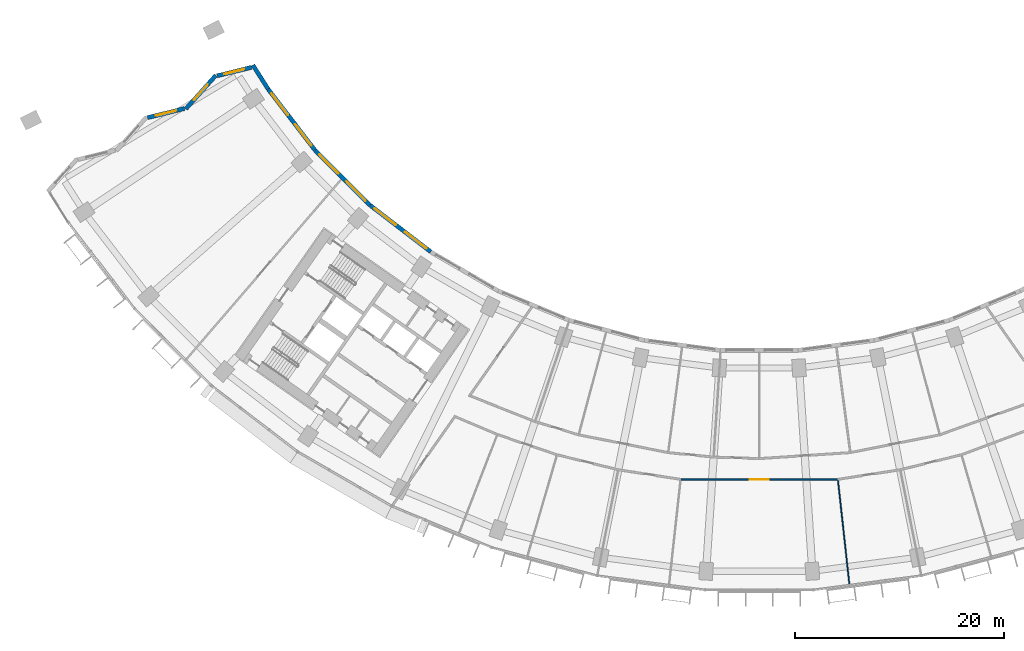
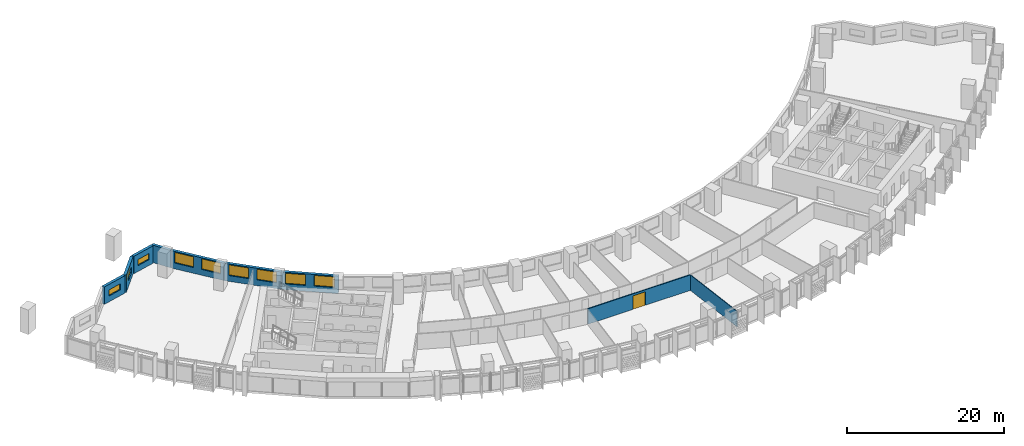
# One storey, part 5 of 31: 9 walls, 9 windows, 1 door, 10 openings.
"""IFC4 building model written with IfcOpenShell, lengths in metres."""

from ifc_helpers import new_model, si_unit, direction, frame, frame_2d, origin, place, context, subcontext, project, spatial, rectangle, extrude, material, layer, layer_set, type_object, element, fill, save


model = new_model("IFC4")

# Units and contexts
model_context = context("Model", 3, precision=1e-05, world=origin(), true_north=direction((0.0, 1.0)))
body_context = subcontext(model_context, "Body", "Model", "MODEL_VIEW")
ifc_project = project(units=[si_unit("LENGTHUNIT", "METRE"), si_unit("AREAUNIT", "SQUARE_METRE"), si_unit("VOLUMEUNIT", "CUBIC_METRE"), si_unit("PLANEANGLEUNIT", "RADIAN"), si_unit("MASSUNIT", "GRAM", prefix="KILO")], contexts=[model_context])

# Site, building, storey
site_placement = place(None, origin())
site = spatial("IfcSite", under=ifc_project, at=site_placement, CompositionType="ELEMENT")
building_placement = place(site_placement, origin())
building = spatial("IfcBuilding", under=site, at=building_placement, Name="Qamariyya Broadcast Tower", CompositionType="ELEMENT")
storey_placement = place(building_placement, frame((0.0, 0.0, 86.10009765625)))
storey = spatial("IfcBuildingStorey", under=building, at=storey_placement, Name="L18", CompositionType="ELEMENT", Elevation=86.10009765625)

# Wall, opening, door
ifc_material_1 = material(Name="Gypsum board partition")
ifc_layer_1 = layer(ifc_material_1, 0.14990234375)
ifc_layer_set_1 = layer_set([ifc_layer_1], Name="Corridor partition 150 EI 60")
wall_type_1 = type_object("IfcWallType", Name="Corridor partition 150 EI 60", PredefinedType="PARTITIONING", material=ifc_layer_set_1)
wall_1_placement = place(storey_placement, frame((7.53173828125, -68.788818359375, 0.0), z_axis=(0.0, 0.0, 1.0), x_axis=(-1.0, 0.0, 0.0)))
wall_1 = element("IfcWall", 1, at=wall_1_placement, inside=storey, type_object=wall_type_1, Name="Partition L18-018", PredefinedType="PARTITIONING", context=body_context, shape_type="SweptSolid", body=[
    extrude(rectangle(XDim=15.0634765625, YDim=0.14990234375, at=frame_2d((7.53173828125, 0.0))), origin(), (0.0, 0.0, 1.0), 2.39990234375),
])
opening_1_placement = place(wall_1_placement, frame((6.631591796875, 0.0, 0.0)))
opening_1 = element("IfcOpeningElement", 2, at=opening_1_placement, cuts=wall_1, Name="Opening L18-D05", PredefinedType="OPENING", context=body_context, shape_type="SweptSolid", body=[
    extrude(rectangle(XDim=1.800048828125, YDim=2.10009765625, at=frame_2d((0.89990234375, 1.050048828125))), frame((0.0, 0.0849609375, 0.0), z_axis=(0.0, -1.0, 0.0), x_axis=(1.0, 0.0, 0.0)), (0.0, 0.0, 1.0), 0.169921875),
])
ifc_material_2 = material(Name="Timber fire door leaf", Category="wood")
door_type = type_object("IfcDoorType", Name="Double fire door 1800 x 2100 FD60", OperationType="NOTDEFINED", PredefinedType="DOOR", material=ifc_material_2)
door_placement = place(opening_1_placement, origin())
door = element("IfcDoor", 3, at=door_placement, inside=storey, type_object=door_type, Name="Door L18-D05", OperationType="DOUBLE_DOOR_SINGLE_SWING", OverallHeight=2.10009765625, OverallWidth=1.800048828125, PredefinedType="DOOR", context=body_context, shape_type="SweptSolid", body=[
    extrude(rectangle(XDim=1.800048828125, YDim=2.10009765625, at=frame_2d((0.89990234375, 1.050048828125))), frame((0.0, 0.02490234375, 0.0), z_axis=(0.0, -1.0, 0.0), x_axis=(1.0, 0.0, 0.0)), (0.0, 0.0, 1.0), 0.050048828125),
])
fill(opening_1, door)

# Wall
ifc_layer_2 = layer(ifc_material_1, 0.10009765625)
ifc_layer_set_2 = layer_set([ifc_layer_2], Name="Partition 100")
wall_type_2 = type_object("IfcWallType", Name="Partition 100", PredefinedType="PARTITIONING", material=ifc_layer_set_2)
wall_2_placement = place(storey_placement, frame((8.630859375, -78.827392578125, 0.0), z_axis=(0.0, 0.0, 1.0), x_axis=(-0.108851448718, 0.994058027538, 0.0)))
element("IfcWall", 4, at=wall_2_placement, inside=storey, type_object=wall_type_2, Name="Partition L18-026", PredefinedType="PARTITIONING", context=body_context, shape_type="SweptSolid", body=[
    extrude(rectangle(XDim=10.0234375, YDim=0.10009765625, at=frame_2d((5.01171875, 0.0))), origin(), (0.0, 0.0, 1.0), 2.39990234375),
])

# Wall, opening, window
ifc_material_3 = material(Name="Terracotta", Category="masonry")
ifc_layer_3 = layer(ifc_material_3, 0.39990234375)
ifc_layer_set_3 = layer_set([ifc_layer_3], Name="Terracotta clad wall 400")
wall_type_3 = type_object("IfcWallType", Name="Terracotta clad wall 400", PredefinedType="SOLIDWALL", material=ifc_layer_set_3)
wall_3_placement = place(storey_placement, frame((-48.618896484375, -29.338623046875, 0.0), z_axis=(0.0, 0.0, 1.0), x_axis=(-0.971070326024, -0.238793680646, 0.0)))
wall_3 = element("IfcWall", 5, at=wall_3_placement, inside=storey, type_object=wall_type_3, Name="e-wl-L18-capW0", PredefinedType="SOLIDWALL", context=body_context, shape_type="SweptSolid", body=[
    extrude(rectangle(XDim=3.394287109375, YDim=0.39990234375, at=frame_2d((1.697265625, 0.0))), origin(), (0.0, 0.0, 1.0), 2.699951171875),
])
opening_2_placement = place(wall_3_placement, frame((0.697265625, 0.0, 0.89990234375)))
opening_2 = element("IfcOpeningElement", 6, at=opening_2_placement, cuts=wall_3, Name="Opening W4", PredefinedType="OPENING", context=body_context, shape_type="SweptSolid", body=[
    extrude(rectangle(XDim=2.0, YDim=0.949951171875, at=frame_2d((1.0, 0.47509765625))), frame((0.0, 0.2099609375, 0.0), z_axis=(0.0, -1.0, 0.0), x_axis=(1.0, 0.0, 0.0)), (0.0, 0.0, 1.0), 0.419921875),
])
ifc_material_4 = material(Name="Clear low-e double glazed unit in aluminium frame", Category="aluminium")
window_type_1 = type_object("IfcWindowType", Name="Horn bay window 2000 x 950", PartitioningType="SINGLE_PANEL", PredefinedType="WINDOW", material=ifc_material_4)
window_1_placement = place(opening_2_placement, origin())
window_1 = element("IfcWindow", 7, at=window_1_placement, inside=storey, type_object=window_type_1, Name="e-w-L18-capW0", OverallHeight=0.949951171875, OverallWidth=2.0, PartitioningType="SINGLE_PANEL", PredefinedType="WINDOW", context=body_context, shape_type="SweptSolid", body=[
    extrude(rectangle(XDim=2.0, YDim=0.949951171875, at=frame_2d((1.0, 0.47509765625))), frame((0.0, 0.030029296875, 0.0), z_axis=(0.0, -1.0, 0.0), x_axis=(1.0, 0.0, 0.0)), (0.0, 0.0, 1.0), 0.06005859375),
])
fill(opening_2, window_1)

wall_4_placement = place(storey_placement, frame((-52.039306640625, -30.11572265625, 0.0), z_axis=(0.0, 0.0, 1.0), x_axis=(-0.667103797897, -0.744964779591, 0.0)))
wall_4 = element("IfcWall", 8, at=wall_4_placement, inside=storey, type_object=wall_type_3, Name="e-wl-L18-capW1", PredefinedType="SOLIDWALL", context=body_context, shape_type="SweptSolid", body=[
    extrude(rectangle(XDim=4.295654296875, YDim=0.39990234375, at=frame_2d((2.14794921875, 0.0))), origin(), (0.0, 0.0, 1.0), 2.699951171875),
])
opening_3_placement = place(wall_4_placement, frame((1.14794921875, 0.0, 0.89990234375)))
opening_3 = element("IfcOpeningElement", 9, at=opening_3_placement, cuts=wall_4, Name="Opening W4", PredefinedType="OPENING", context=body_context, shape_type="SweptSolid", body=[
    extrude(rectangle(XDim=2.0, YDim=0.949951171875, at=frame_2d((1.0, 0.47509765625))), frame((0.0, 0.2099609375, 0.0), z_axis=(0.0, -1.0, 0.0), x_axis=(1.0, 0.0, 0.0)), (0.0, 0.0, 1.0), 0.419921875),
])
window_2_placement = place(opening_3_placement, origin())
window_2 = element("IfcWindow", 10, at=window_2_placement, inside=storey, type_object=window_type_1, Name="e-w-L18-capW1", OverallHeight=0.949951171875, OverallWidth=2.0, PartitioningType="SINGLE_PANEL", PredefinedType="WINDOW", context=body_context, shape_type="SweptSolid", body=[
    extrude(rectangle(XDim=2.0, YDim=0.949951171875, at=frame_2d((1.0, 0.47509765625))), frame((0.0, 0.030029296875, 0.0), z_axis=(0.0, -1.0, 0.0), x_axis=(1.0, 0.0, 0.0)), (0.0, 0.0, 1.0), 0.06005859375),
])
fill(opening_3, window_2)

wall_5_placement = place(storey_placement, frame((-55.029052734375, -33.282470703125, 0.0), z_axis=(0.0, 0.0, 1.0), x_axis=(-0.971052863512, -0.238864681913, 0.0)))
wall_5 = element("IfcWall", 11, at=wall_5_placement, inside=storey, type_object=wall_type_3, Name="e-wl-L18-capW2", PredefinedType="SOLIDWALL", context=body_context, shape_type="SweptSolid", body=[
    extrude(rectangle(XDim=3.64794921875, YDim=0.39990234375, at=frame_2d((1.823974609375, 0.0))), origin(), (0.0, 0.0, 1.0), 2.699951171875),
])
opening_4_placement = place(wall_5_placement, frame((0.82373046875, 0.0, 0.89990234375)))
opening_4 = element("IfcOpeningElement", 12, at=opening_4_placement, cuts=wall_5, Name="Opening W4", PredefinedType="OPENING", context=body_context, shape_type="SweptSolid", body=[
    extrude(rectangle(XDim=2.0, YDim=0.949951171875, at=frame_2d((1.0, 0.47509765625))), frame((0.0, 0.2099609375, 0.0), z_axis=(0.0, -1.0, 0.0), x_axis=(1.0, 0.0, 0.0)), (0.0, 0.0, 1.0), 0.419921875),
])
window_3_placement = place(opening_4_placement, origin())
window_3 = element("IfcWindow", 13, at=window_3_placement, inside=storey, type_object=window_type_1, Name="e-w-L18-capW2", OverallHeight=0.949951171875, OverallWidth=2.0, PartitioningType="SINGLE_PANEL", PredefinedType="WINDOW", context=body_context, shape_type="SweptSolid", body=[
    extrude(rectangle(XDim=2.0, YDim=0.949951171875, at=frame_2d((1.0, 0.47509765625))), frame((0.0, 0.030029296875, 0.0), z_axis=(0.0, -1.0, 0.0), x_axis=(1.0, 0.0, 0.0)), (0.0, 0.0, 1.0), 0.06005859375),
])
fill(opening_4, window_3)

# Wall
wall_6_placement = place(storey_placement, frame((-47.00927734375, -31.433837890625, 0.0), z_axis=(0.0, 0.0, 1.0), x_axis=(-0.535693812296, 0.84441230419, 0.0)))
element("IfcWall", 14, at=wall_6_placement, inside=storey, type_object=wall_type_3, Name="e-wl-L18-in00", PredefinedType="SOLIDWALL", context=body_context, shape_type="SweptSolid", body=[
    extrude(rectangle(XDim=2.74169921875, YDim=0.39990234375, at=frame_2d((1.370849609375, 0.0))), origin(), (0.0, 0.0, 1.0), 2.699951171875),
])

# Wall, openings, windows
wall_7_placement = place(storey_placement, frame((-42.5478515625, -37.24609375, 0.0), z_axis=(0.0, 0.0, 1.0), x_axis=(-0.608754744979, 0.793358469083, 0.0)))
wall_7 = element("IfcWall", 15, at=wall_7_placement, inside=storey, type_object=wall_type_3, Name="e-wl-L18-in10", PredefinedType="SOLIDWALL", context=body_context, shape_type="SweptSolid", body=[
    extrude(rectangle(XDim=7.3095703125, YDim=0.39990234375, at=frame_2d((3.65478515625, 0.0))), origin(), (0.0, 0.0, 1.0), 2.699951171875),
])
opening_5_placement = place(wall_7_placement, frame((4.190673828125, 0.0, 0.89990234375)))
opening_5 = element("IfcOpeningElement", 16, at=opening_5_placement, cuts=wall_7, Name="Opening W1", PredefinedType="OPENING", context=body_context, shape_type="SweptSolid", body=[
    extrude(rectangle(XDim=2.60009765625, YDim=1.64990234375, at=frame_2d((1.300048828125, 0.824951171875))), frame((0.0, 0.2099609375, 0.0), z_axis=(0.0, -1.0, 0.0), x_axis=(1.0, 0.0, 0.0)), (0.0, 0.0, 1.0), 0.419921875),
])
opening_6_placement = place(wall_7_placement, frame((0.505126953125, 0.0, 0.89990234375)))
opening_6 = element("IfcOpeningElement", 17, at=opening_6_placement, cuts=wall_7, Name="Opening W1", PredefinedType="OPENING", context=body_context, shape_type="SweptSolid", body=[
    extrude(rectangle(XDim=2.60009765625, YDim=1.64990234375, at=frame_2d((1.300048828125, 0.824951171875))), frame((0.0, 0.2099609375, 0.0), z_axis=(0.0, -1.0, 0.0), x_axis=(1.0, 0.0, 0.0)), (0.0, 0.0, 1.0), 0.419921875),
])
window_type_2 = type_object("IfcWindowType", Name="Ribbon window 2600 x 1650", PartitioningType="SINGLE_PANEL", PredefinedType="WINDOW", material=ifc_material_4)
window_4_placement = place(opening_5_placement, origin())
window_4 = element("IfcWindow", 18, at=window_4_placement, inside=storey, type_object=window_type_2, Name="e-w-L18-in01-0", OverallHeight=1.64990234375, OverallWidth=2.60009765625, PartitioningType="SINGLE_PANEL", PredefinedType="WINDOW", context=body_context, shape_type="SweptSolid", body=[
    extrude(rectangle(XDim=2.60009765625, YDim=1.64990234375, at=frame_2d((1.300048828125, 0.824951171875))), frame((0.0, 0.030029296875, 0.0), z_axis=(0.0, -1.0, 0.0), x_axis=(1.0, 0.0, 0.0)), (0.0, 0.0, 1.0), 0.06005859375),
])
fill(opening_5, window_4)
window_5_placement = place(opening_6_placement, origin())
window_5 = element("IfcWindow", 19, at=window_5_placement, inside=storey, type_object=window_type_2, Name="e-w-L18-in01-1", OverallHeight=1.64990234375, OverallWidth=2.60009765625, PartitioningType="SINGLE_PANEL", PredefinedType="WINDOW", context=body_context, shape_type="SweptSolid", body=[
    extrude(rectangle(XDim=2.60009765625, YDim=1.64990234375, at=frame_2d((1.300048828125, 0.824951171875))), frame((0.0, 0.030029296875, 0.0), z_axis=(0.0, -1.0, 0.0), x_axis=(1.0, 0.0, 0.0)), (0.0, 0.0, 1.0), 0.06005859375),
])
fill(opening_6, window_5)

wall_8_placement = place(storey_placement, frame((-37.2685546875, -42.534423828125, 0.0), z_axis=(0.0, 0.0, 1.0), x_axis=(-0.707106781187, 0.707106781187, 0.0)))
wall_8 = element("IfcWall", 20, at=wall_8_placement, inside=storey, type_object=wall_type_3, Name="e-wl-L18-in20", PredefinedType="SOLIDWALL", context=body_context, shape_type="SweptSolid", body=[
    extrude(rectangle(XDim=7.447021484375, YDim=0.39990234375, at=frame_2d((3.7236328125, 0.0))), origin(), (0.0, 0.0, 1.0), 2.699951171875),
])
opening_7_placement = place(wall_8_placement, frame((4.266357421875, 0.0, 0.89990234375)))
opening_7 = element("IfcOpeningElement", 21, at=opening_7_placement, cuts=wall_8, Name="Opening W1", PredefinedType="OPENING", context=body_context, shape_type="SweptSolid", body=[
    extrude(rectangle(XDim=2.60009765625, YDim=1.64990234375, at=frame_2d((1.300048828125, 0.824951171875))), frame((0.0, 0.2099609375, 0.0), z_axis=(0.0, -1.0, 0.0), x_axis=(1.0, 0.0, 0.0)), (0.0, 0.0, 1.0), 0.419921875),
])
opening_8_placement = place(wall_8_placement, frame((0.580810546875, 0.0, 0.89990234375)))
opening_8 = element("IfcOpeningElement", 22, at=opening_8_placement, cuts=wall_8, Name="Opening W1", PredefinedType="OPENING", context=body_context, shape_type="SweptSolid", body=[
    extrude(rectangle(XDim=2.60009765625, YDim=1.64990234375, at=frame_2d((1.300048828125, 0.824951171875))), frame((0.0, 0.2099609375, 0.0), z_axis=(0.0, -1.0, 0.0), x_axis=(1.0, 0.0, 0.0)), (0.0, 0.0, 1.0), 0.419921875),
])
window_6_placement = place(opening_7_placement, origin())
window_6 = element("IfcWindow", 23, at=window_6_placement, inside=storey, type_object=window_type_2, Name="e-w-L18-in02-0", OverallHeight=1.64990234375, OverallWidth=2.60009765625, PartitioningType="SINGLE_PANEL", PredefinedType="WINDOW", context=body_context, shape_type="SweptSolid", body=[
    extrude(rectangle(XDim=2.60009765625, YDim=1.64990234375, at=frame_2d((1.300048828125, 0.824951171875))), frame((0.0, 0.030029296875, 0.0), z_axis=(0.0, -1.0, 0.0), x_axis=(1.0, 0.0, 0.0)), (0.0, 0.0, 1.0), 0.06005859375),
])
fill(opening_7, window_6)
window_7_placement = place(opening_8_placement, origin())
window_7 = element("IfcWindow", 24, at=window_7_placement, inside=storey, type_object=window_type_2, Name="e-w-L18-in02-1", OverallHeight=1.64990234375, OverallWidth=2.60009765625, PartitioningType="SINGLE_PANEL", PredefinedType="WINDOW", context=body_context, shape_type="SweptSolid", body=[
    extrude(rectangle(XDim=2.60009765625, YDim=1.64990234375, at=frame_2d((1.300048828125, 0.824951171875))), frame((0.0, 0.030029296875, 0.0), z_axis=(0.0, -1.0, 0.0), x_axis=(1.0, 0.0, 0.0)), (0.0, 0.0, 1.0), 0.06005859375),
])
fill(opening_8, window_7)

wall_9_placement = place(storey_placement, frame((-31.4580078125, -46.989013671875, 0.0), z_axis=(0.0, 0.0, 1.0), x_axis=(-0.79336607943, 0.60874482668, 0.0)))
wall_9 = element("IfcWall", 25, at=wall_9_placement, inside=storey, type_object=wall_type_3, Name="e-wl-L18-in30", PredefinedType="SOLIDWALL", context=body_context, shape_type="SweptSolid", body=[
    extrude(rectangle(XDim=7.295654296875, YDim=0.39990234375, at=frame_2d((3.64794921875, 0.0))), origin(), (0.0, 0.0, 1.0), 2.699951171875),
])
opening_9_placement = place(wall_9_placement, frame((4.190673828125, 0.0, 0.89990234375)))
opening_9 = element("IfcOpeningElement", 26, at=opening_9_placement, cuts=wall_9, Name="Opening W1", PredefinedType="OPENING", context=body_context, shape_type="SweptSolid", body=[
    extrude(rectangle(XDim=2.60009765625, YDim=1.64990234375, at=frame_2d((1.300048828125, 0.824951171875))), frame((0.0, 0.2099609375, 0.0), z_axis=(0.0, -1.0, 0.0), x_axis=(1.0, 0.0, 0.0)), (0.0, 0.0, 1.0), 0.419921875),
])
opening_10_placement = place(wall_9_placement, frame((0.505126953125, 0.0, 0.89990234375)))
opening_10 = element("IfcOpeningElement", 27, at=opening_10_placement, cuts=wall_9, Name="Opening W1", PredefinedType="OPENING", context=body_context, shape_type="SweptSolid", body=[
    extrude(rectangle(XDim=2.60009765625, YDim=1.64990234375, at=frame_2d((1.300048828125, 0.824951171875))), frame((0.0, 0.2099609375, 0.0), z_axis=(0.0, -1.0, 0.0), x_axis=(1.0, 0.0, 0.0)), (0.0, 0.0, 1.0), 0.419921875),
])
window_8_placement = place(opening_9_placement, origin())
window_8 = element("IfcWindow", 28, at=window_8_placement, inside=storey, type_object=window_type_2, Name="e-w-L18-in03-0", OverallHeight=1.64990234375, OverallWidth=2.60009765625, PartitioningType="SINGLE_PANEL", PredefinedType="WINDOW", context=body_context, shape_type="SweptSolid", body=[
    extrude(rectangle(XDim=2.60009765625, YDim=1.64990234375, at=frame_2d((1.300048828125, 0.824951171875))), frame((0.0, 0.030029296875, 0.0), z_axis=(0.0, -1.0, 0.0), x_axis=(1.0, 0.0, 0.0)), (0.0, 0.0, 1.0), 0.06005859375),
])
fill(opening_9, window_8)
window_9_placement = place(opening_10_placement, origin())
window_9 = element("IfcWindow", 29, at=window_9_placement, inside=storey, type_object=window_type_2, Name="e-w-L18-in03-1", OverallHeight=1.64990234375, OverallWidth=2.60009765625, PartitioningType="SINGLE_PANEL", PredefinedType="WINDOW", context=body_context, shape_type="SweptSolid", body=[
    extrude(rectangle(XDim=2.60009765625, YDim=1.64990234375, at=frame_2d((1.300048828125, 0.824951171875))), frame((0.0, 0.030029296875, 0.0), z_axis=(0.0, -1.0, 0.0), x_axis=(1.0, 0.0, 0.0)), (0.0, 0.0, 1.0), 0.06005859375),
])
fill(opening_10, window_9)

save(model, "model.ifc")
